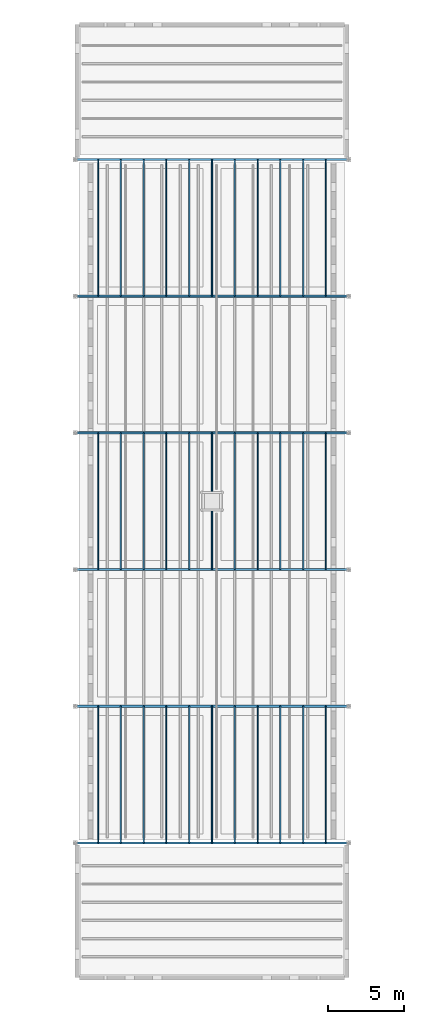
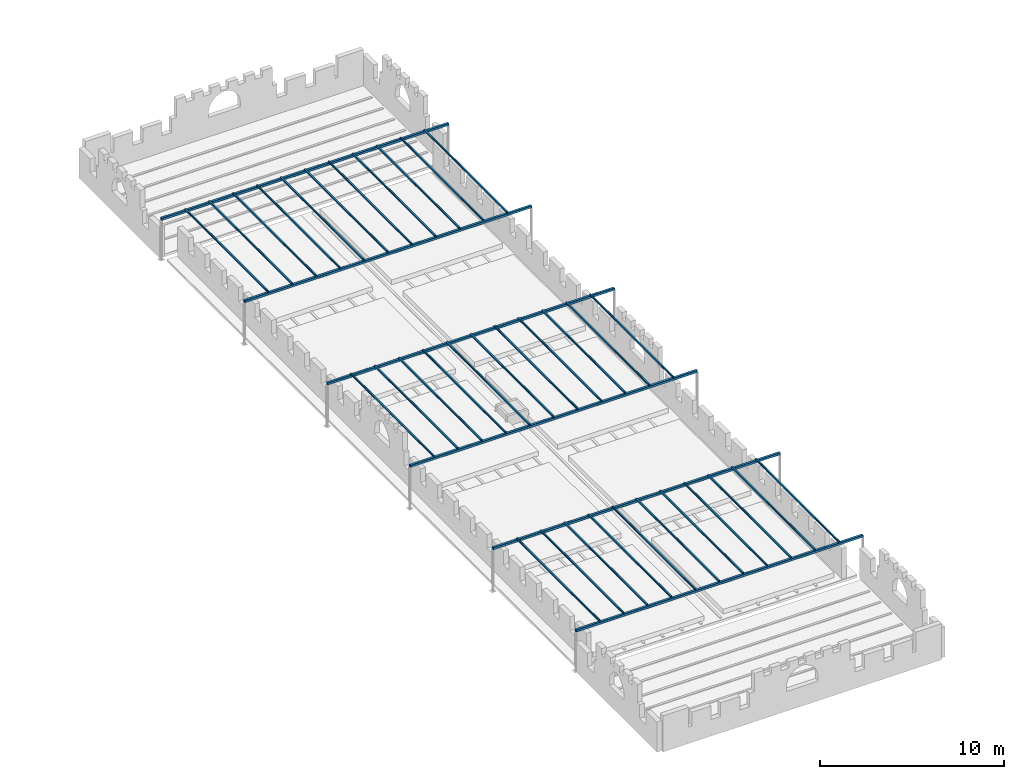
# One storey, part 10 of 37: 33 members, 6 beams.
"""IFC4 building model written with IfcOpenShell, lengths in metres."""

from ifc_helpers import new_model, si_unit, direction, frame, origin, origin_2d, place, context, subcontext, project, spatial, hollow_rectangle, extrude, material, material_profile, profile_set, type_object, element, save


model = new_model("IFC4")

# Units and contexts
model_context = context("Model", 3, precision=1e-05, world=origin(), true_north=direction((0.0, 1.0)))
body_context = subcontext(model_context, "Body", "Model", "MODEL_VIEW")
ifc_project = project(units=[si_unit("LENGTHUNIT", "METRE"), si_unit("AREAUNIT", "SQUARE_METRE"), si_unit("VOLUMEUNIT", "CUBIC_METRE"), si_unit("PLANEANGLEUNIT", "RADIAN"), si_unit("MASSUNIT", "GRAM", prefix="KILO")], contexts=[model_context])

# Site, building, storey
site_placement = place(None, origin())
site = spatial("IfcSite", under=ifc_project, at=site_placement, CompositionType="ELEMENT")
building_placement = place(site_placement, origin())
building = spatial("IfcBuilding", under=site, at=building_placement, Name="Baradari Gate Terminus", CompositionType="ELEMENT")
storey_placement = place(building_placement, frame((0.0, 0.0, 24.300048828125)))
storey = spatial("IfcBuildingStorey", under=building, at=storey_placement, Name="L05", CompositionType="ELEMENT", Elevation=24.300048828125)

# Beams
ifc_material_1 = material(Name="Steel S355", Category="steel")
ifc_material_profile_1 = material_profile(ifc_material_1, hollow_rectangle(XDim=0.14990234375, YDim=0.14990234375, WallThickness=0.00634765625, InnerFilletRadius=0.00634765625, OuterFilletRadius=0.0126953125, at=origin_2d()), Name="SHS 150x150x6.3")
ifc_profile_set_1 = profile_set([ifc_material_profile_1], Name="Steel S355")
beam_type = type_object("IfcBeamType", Name="Pergola beam SHS 150x150x6.3", PredefinedType="BEAM", material=ifc_profile_set_1)
for number, where, z_axis, x_axis, name in (
    (1, (72.0, 36.0, 2.675048828125), (1.0, 0.0, 0.0), (0.0, 1.0, 0.0), "RF/L05/PGG1-PGB1"),
    (2, (72.0, 45.0, 2.675048828125), (1.0, 0.0, 0.0), (0.0, 1.0, 0.0), "RF/L05/PGG1-PGB2"),
    (3, (72.0, 54.0, 2.675048828125), (1.0, 0.0, 0.0), (0.0, 1.0, 0.0), "RF/L05/PGG2-PGB1"),
    (4, (72.0, 63.0, 2.675048828125), (1.0, 0.0, 0.0), (0.0, 1.0, 0.0), "RF/L05/PGG2-PGB2"),
    (5, (72.0, 72.0, 2.675048828125), (1.0, 0.0, 0.0), (0.0, 1.0, 0.0), "RF/L05/PGG3-PGB1"),
    (6, (72.0, 81.0, 2.675048828125), (1.0, 0.0, 0.0), (0.0, 1.0, 0.0), "RF/L05/PGG3-PGB2"),
):
    element("IfcBeam", number, at=place(storey_placement, frame(where, z_axis=z_axis, x_axis=x_axis)), inside=storey, type_object=beam_type, Name=name, PredefinedType="BEAM", context=body_context, shape_type="SweptSolid", body=[
        extrude(hollow_rectangle(XDim=0.14990234375, YDim=0.14990234375, WallThickness=0.00634765625, InnerFilletRadius=0.00634765625, OuterFilletRadius=0.0126953125, at=origin_2d()), origin(), (0.0, 0.0, 1.0), 18.0),
    ])

# Members
ifc_material_2 = material(Name="Steel S355", Category="steel")
ifc_material_profile_2 = material_profile(ifc_material_2, hollow_rectangle(XDim=0.10009765625, YDim=0.10009765625, WallThickness=0.00634765625, InnerFilletRadius=0.00634765625, OuterFilletRadius=0.0126953125, at=origin_2d()), Name="SHS 100x100x6.3")
ifc_profile_set_2 = profile_set([ifc_material_profile_2], Name="Steel S355")
member_type = type_object("IfcMemberType", Name="Pergola rafter SHS 100x100x6.3", PredefinedType="STRINGER", material=ifc_profile_set_2)
for number, where, z_axis, x_axis, name in (
    (7, (73.5, 36.0, 2.800048828125), (0.0, 1.0, 0.0), (-1.0, 0.0, 0.0), "RF/L05/PGG1-PGR1"),
    (8, (75.0, 36.0, 2.800048828125), (0.0, 1.0, 0.0), (-1.0, 0.0, 0.0), "RF/L05/PGG1-PGR2"),
    (9, (76.5, 36.0, 2.800048828125), (0.0, 1.0, 0.0), (-1.0, 0.0, 0.0), "RF/L05/PGG1-PGR3"),
    (10, (78.0, 36.0, 2.800048828125), (0.0, 1.0, 0.0), (-1.0, 0.0, 0.0), "RF/L05/PGG1-PGR4"),
    (11, (79.5, 36.0, 2.800048828125), (0.0, 1.0, 0.0), (-1.0, 0.0, 0.0), "RF/L05/PGG1-PGR5"),
    (12, (81.0, 36.0, 2.800048828125), (0.0, 1.0, 0.0), (-1.0, 0.0, 0.0), "RF/L05/PGG1-PGR6"),
    (13, (82.5, 36.0, 2.800048828125), (0.0, 1.0, 0.0), (-1.0, 0.0, 0.0), "RF/L05/PGG1-PGR7"),
    (14, (84.0, 36.0, 2.800048828125), (0.0, 1.0, 0.0), (-1.0, 0.0, 0.0), "RF/L05/PGG1-PGR8"),
    (15, (85.5, 36.0, 2.800048828125), (0.0, 1.0, 0.0), (-1.0, 0.0, 0.0), "RF/L05/PGG1-PGR9"),
    (16, (87.0, 36.0, 2.800048828125), (0.0, 1.0, 0.0), (-1.0, 0.0, 0.0), "RF/L05/PGG1-PGR10"),
    (17, (88.5, 36.0, 2.800048828125), (0.0, 1.0, 0.0), (-1.0, 0.0, 0.0), "RF/L05/PGG1-PGR11"),
    (18, (73.5, 54.0, 2.800048828125), (0.0, 1.0, 0.0), (-1.0, 0.0, 0.0), "RF/L05/PGG2-PGR1"),
    (19, (75.0, 54.0, 2.800048828125), (0.0, 1.0, 0.0), (-1.0, 0.0, 0.0), "RF/L05/PGG2-PGR2"),
    (20, (76.5, 54.0, 2.800048828125), (0.0, 1.0, 0.0), (-1.0, 0.0, 0.0), "RF/L05/PGG2-PGR3"),
    (21, (78.0, 54.0, 2.800048828125), (0.0, 1.0, 0.0), (-1.0, 0.0, 0.0), "RF/L05/PGG2-PGR4"),
    (22, (79.5, 54.0, 2.800048828125), (0.0, 1.0, 0.0), (-1.0, 0.0, 0.0), "RF/L05/PGG2-PGR5"),
    (23, (81.0, 54.0, 2.800048828125), (0.0, 1.0, 0.0), (-1.0, 0.0, 0.0), "RF/L05/PGG2-PGR6"),
    (24, (82.5, 54.0, 2.800048828125), (0.0, 1.0, 0.0), (-1.0, 0.0, 0.0), "RF/L05/PGG2-PGR7"),
    (25, (84.0, 54.0, 2.800048828125), (0.0, 1.0, 0.0), (-1.0, 0.0, 0.0), "RF/L05/PGG2-PGR8"),
    (26, (85.5, 54.0, 2.800048828125), (0.0, 1.0, 0.0), (-1.0, 0.0, 0.0), "RF/L05/PGG2-PGR9"),
    (27, (87.0, 54.0, 2.800048828125), (0.0, 1.0, 0.0), (-1.0, 0.0, 0.0), "RF/L05/PGG2-PGR10"),
    (28, (88.5, 54.0, 2.800048828125), (0.0, 1.0, 0.0), (-1.0, 0.0, 0.0), "RF/L05/PGG2-PGR11"),
    (29, (73.5, 72.0, 2.800048828125), (0.0, 1.0, 0.0), (-1.0, 0.0, 0.0), "RF/L05/PGG3-PGR1"),
    (30, (75.0, 72.0, 2.800048828125), (0.0, 1.0, 0.0), (-1.0, 0.0, 0.0), "RF/L05/PGG3-PGR2"),
    (31, (76.5, 72.0, 2.800048828125), (0.0, 1.0, 0.0), (-1.0, 0.0, 0.0), "RF/L05/PGG3-PGR3"),
    (32, (78.0, 72.0, 2.800048828125), (0.0, 1.0, 0.0), (-1.0, 0.0, 0.0), "RF/L05/PGG3-PGR4"),
    (33, (79.5, 72.0, 2.800048828125), (0.0, 1.0, 0.0), (-1.0, 0.0, 0.0), "RF/L05/PGG3-PGR5"),
    (34, (81.0, 72.0, 2.800048828125), (0.0, 1.0, 0.0), (-1.0, 0.0, 0.0), "RF/L05/PGG3-PGR6"),
    (35, (82.5, 72.0, 2.800048828125), (0.0, 1.0, 0.0), (-1.0, 0.0, 0.0), "RF/L05/PGG3-PGR7"),
    (36, (84.0, 72.0, 2.800048828125), (0.0, 1.0, 0.0), (-1.0, 0.0, 0.0), "RF/L05/PGG3-PGR8"),
    (37, (85.5, 72.0, 2.800048828125), (0.0, 1.0, 0.0), (-1.0, 0.0, 0.0), "RF/L05/PGG3-PGR9"),
    (38, (87.0, 72.0, 2.800048828125), (0.0, 1.0, 0.0), (-1.0, 0.0, 0.0), "RF/L05/PGG3-PGR10"),
    (39, (88.5, 72.0, 2.800048828125), (0.0, 1.0, 0.0), (-1.0, 0.0, 0.0), "RF/L05/PGG3-PGR11"),
):
    element("IfcMember", number, at=place(storey_placement, frame(where, z_axis=z_axis, x_axis=x_axis)), inside=storey, type_object=member_type, Name=name, PredefinedType="STRINGER", context=body_context, shape_type="SweptSolid", body=[
        extrude(hollow_rectangle(XDim=0.10009765625, YDim=0.10009765625, WallThickness=0.00634765625, InnerFilletRadius=0.00634765625, OuterFilletRadius=0.0126953125, at=origin_2d()), origin(), (0.0, 0.0, 1.0), 9.0),
    ])

save(model, "model.ifc")
